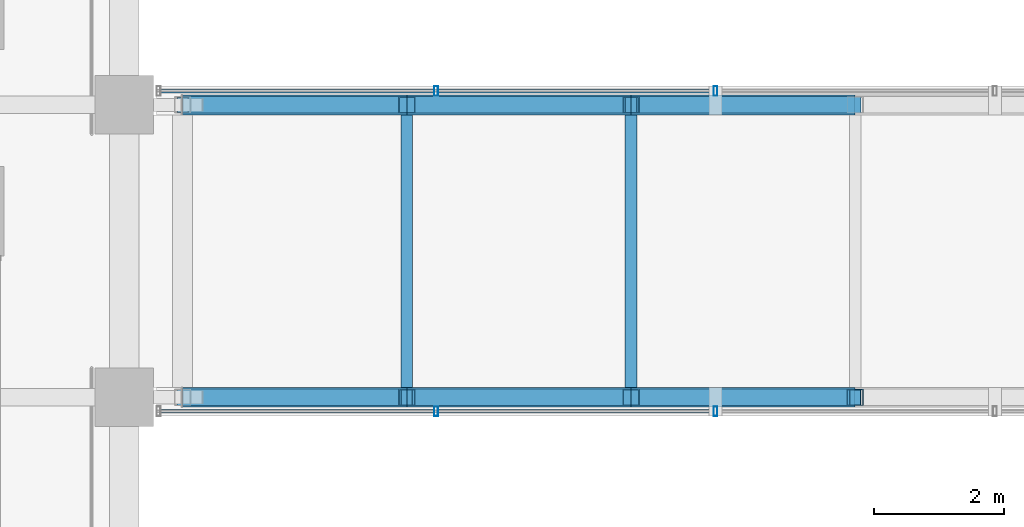
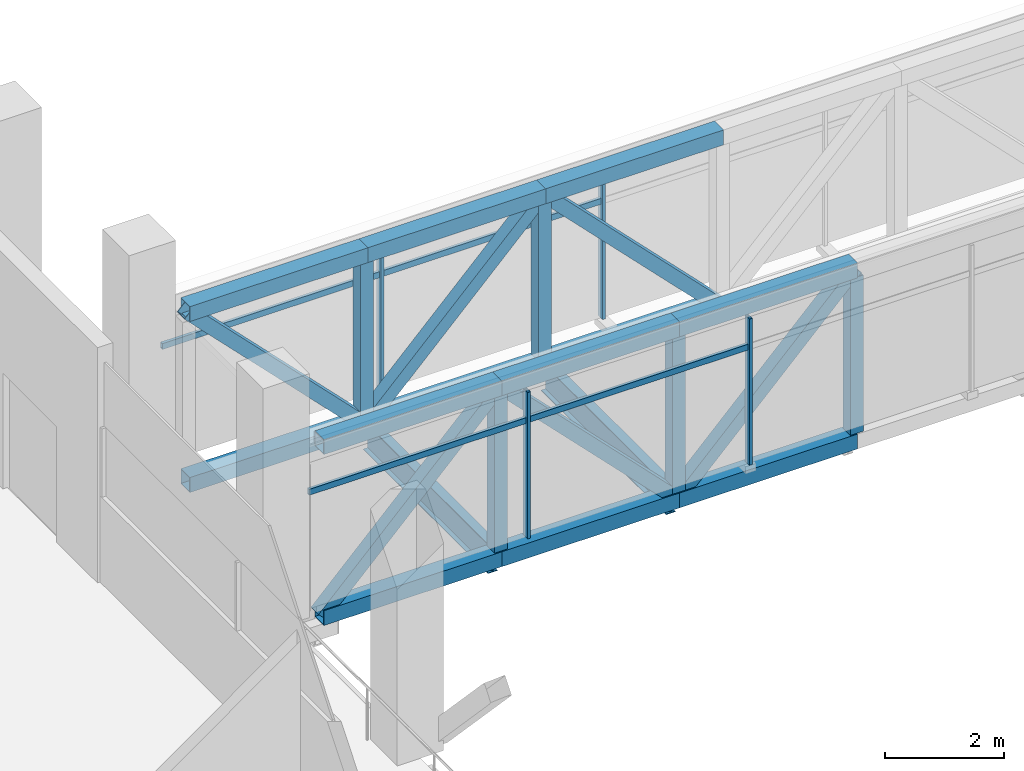
# One storey, part 13 of 34: 31 members, 2 beams, 2 elements without a shape of their own.
"""IFC4 building model written with IfcOpenShell, lengths in metres."""

from ifc_helpers import new_model, si_unit, direction, frame, origin, origin_2d, place, context, subcontext, project, spatial, hollow_rectangle, i_section, extrude, material, material_profile, profile_set, type_object, element, aggregate, save


model = new_model("IFC4")

# Units and contexts
model_context = context("Model", 3, precision=1e-05, world=origin(), true_north=direction((0.0, 1.0)))
body_context = subcontext(model_context, "Body", "Model", "MODEL_VIEW")
ifc_project = project(units=[si_unit("LENGTHUNIT", "METRE"), si_unit("AREAUNIT", "SQUARE_METRE"), si_unit("VOLUMEUNIT", "CUBIC_METRE"), si_unit("PLANEANGLEUNIT", "RADIAN"), si_unit("MASSUNIT", "GRAM", prefix="KILO")], contexts=[model_context])

# Site, building, storey
site_placement = place(None, origin())
site = spatial("IfcSite", under=ifc_project, at=site_placement, CompositionType="ELEMENT")
building_placement = place(site_placement, origin())
building = spatial("IfcBuilding", under=site, at=building_placement, Name="Altepetl Exchange Towers", CompositionType="ELEMENT")
storey_placement = place(building_placement, frame((0.0, 0.0, 190.60009765625)))
storey = spatial("IfcBuildingStorey", under=building, at=storey_placement, Name="L48 Refuge", CompositionType="ELEMENT", Elevation=190.60009765625)

# Members
ifc_material_1 = material(Name="Steel S355", Category="steel")
ifc_material_profile_1 = material_profile(ifc_material_1, hollow_rectangle(XDim=0.304931640625, YDim=0.304931640625, WallThickness=0.01171875, at=origin_2d()), Name="HSS305X305X12.7")
ifc_profile_set_1 = profile_set([ifc_material_profile_1], Name="Steel S355")
member_type_1 = type_object("IfcMemberType", Name="Bridge chord HSS305X305X12.7", PredefinedType="CHORD", material=ifc_profile_set_1)
for number, where, z_axis, x_axis, name in (
    (1, (72.89990234375, 45.0, -0.3525390625), (1.0, 0.0, 0.0), (0.0, 1.0, 0.0), "tr:X:L48:bc-s0"),
    (2, (72.89990234375, 45.0, 3.15234375), (1.0, 0.0, 0.0), (0.0, 1.0, 0.0), "tr:X:L48:tc-s0"),
):
    element("IfcMember", number, at=place(storey_placement, frame(where, z_axis=z_axis, x_axis=x_axis)), inside=storey, type_object=member_type_1, Name=name, PredefinedType="CHORD", context=body_context, shape_type="SweptSolid", body=[
        extrude(hollow_rectangle(XDim=0.304931640625, YDim=0.304931640625, WallThickness=0.01171875, at=origin_2d()), origin(), (0.0, 0.0, 1.0), 3.4501953125),
    ])
for number, where, z_axis, x_axis, name in (
    (3, (76.35009765625, 45.0, -0.3525390625), (1.0, 0.0, 0.0), (0.0, 1.0, 0.0), "tr:X:L48:bc-s1"),
    (4, (76.35009765625, 45.0, 3.15234375), (1.0, 0.0, 0.0), (0.0, 1.0, 0.0), "tr:X:L48:tc-s1"),
    (5, (79.800048828125, 45.0, -0.3525390625), (1.0, 0.0, 0.0), (0.0, 1.0, 0.0), "tr:X:L48:bc-s2"),
    (6, (79.800048828125, 45.0, 3.15234375), (1.0, 0.0, 0.0), (0.0, 1.0, 0.0), "tr:X:L48:tc-s2"),
):
    element("IfcMember", number, at=place(storey_placement, frame(where, z_axis=z_axis, x_axis=x_axis)), inside=storey, type_object=member_type_1, Name=name, PredefinedType="CHORD", context=body_context, shape_type="SweptSolid", body=[
        extrude(hollow_rectangle(XDim=0.304931640625, YDim=0.304931640625, WallThickness=0.01171875, at=origin_2d()), origin(), (0.0, 0.0, 1.0), 3.449951171875),
    ])
for number, where, z_axis, x_axis, name in (
    (7, (72.89990234375, 49.5, -0.3525390625), (1.0, 0.0, 0.0), (0.0, 1.0, 0.0), "tr:X:L48:bc-n0"),
    (8, (72.89990234375, 49.5, 3.15234375), (1.0, 0.0, 0.0), (0.0, 1.0, 0.0), "tr:X:L48:tc-n0"),
):
    element("IfcMember", number, at=place(storey_placement, frame(where, z_axis=z_axis, x_axis=x_axis)), inside=storey, type_object=member_type_1, Name=name, PredefinedType="CHORD", context=body_context, shape_type="SweptSolid", body=[
        extrude(hollow_rectangle(XDim=0.304931640625, YDim=0.304931640625, WallThickness=0.01171875, at=origin_2d()), origin(), (0.0, 0.0, 1.0), 3.4501953125),
    ])
for number, where, z_axis, x_axis, name in (
    (9, (76.35009765625, 49.5, -0.3525390625), (1.0, 0.0, 0.0), (0.0, 1.0, 0.0), "tr:X:L48:bc-n1"),
    (10, (76.35009765625, 49.5, 3.15234375), (1.0, 0.0, 0.0), (0.0, 1.0, 0.0), "tr:X:L48:tc-n1"),
    (11, (79.800048828125, 49.5, -0.3525390625), (1.0, 0.0, 0.0), (0.0, 1.0, 0.0), "tr:X:L48:bc-n2"),
    (12, (79.800048828125, 49.5, 3.15234375), (1.0, 0.0, 0.0), (0.0, 1.0, 0.0), "tr:X:L48:tc-n2"),
):
    element("IfcMember", number, at=place(storey_placement, frame(where, z_axis=z_axis, x_axis=x_axis)), inside=storey, type_object=member_type_1, Name=name, PredefinedType="CHORD", context=body_context, shape_type="SweptSolid", body=[
        extrude(hollow_rectangle(XDim=0.304931640625, YDim=0.304931640625, WallThickness=0.01171875, at=origin_2d()), origin(), (0.0, 0.0, 1.0), 3.449951171875),
    ])

# Beams
ifc_material_profile_2 = material_profile(ifc_material_1, i_section(OverallWidth=0.178955078125, OverallDepth=0.60302734375, WebThickness=0.010986328125, FlangeThickness=0.014892578125, at=origin_2d()), Name="W24X62")
ifc_profile_set_2 = profile_set([ifc_material_profile_2], Name="Steel S355")
beam_type = type_object("IfcBeamType", Name="Bridge deck beam W24X62", PredefinedType="BEAM", material=ifc_profile_set_2)
for number, where, z_axis, x_axis, name in (
    (13, (76.35009765625, 45.152587890625, -0.501708984375), (0.0, 1.0, 0.0), (-1.0, 0.0, 0.0), "bm:X:L48:cb1"),
    (14, (79.800048828125, 45.152587890625, -0.501708984375), (0.0, 1.0, 0.0), (-1.0, 0.0, 0.0), "bm:X:L48:cb2"),
):
    element("IfcBeam", number, at=place(storey_placement, frame(where, z_axis=z_axis, x_axis=x_axis)), inside=storey, type_object=beam_type, Name=name, PredefinedType="BEAM", context=body_context, shape_type="SweptSolid", body=[
        extrude(i_section(OverallWidth=0.178955078125, OverallDepth=0.60302734375, WebThickness=0.010986328125, FlangeThickness=0.014892578125, at=origin_2d()), origin(), (0.0, 0.0, 1.0), 4.19482421875),
    ])

# Members
ifc_material_profile_3 = material_profile(ifc_material_1, hollow_rectangle(XDim=0.25390625, YDim=0.25390625, WallThickness=0.01171875, at=origin_2d()), Name="HSS254X254X12.7")
ifc_profile_set_3 = profile_set([ifc_material_profile_3], Name="Steel S355")
member_type_2 = type_object("IfcMemberType", Name="Bridge diagonal HSS254X254X12.7", PredefinedType="BRACE", material=ifc_profile_set_3)
member_1_placement = place(storey_placement, frame((72.89990234375, 45.0, -0.3525390625), z_axis=(0.701525143002, 0.0, 0.712644703717), x_axis=(0.0, 1.0, 0.0)))
element("IfcMember", 15, at=member_1_placement, inside=storey, type_object=member_type_2, Name="tr:X:L48:dg-s0", PredefinedType="BRACE", context=body_context, shape_type="SweptSolid", body=[
    extrude(hollow_rectangle(XDim=0.25390625, YDim=0.25390625, WallThickness=0.01171875, at=origin_2d()), origin(), (0.0, 0.0, 1.0), 4.918212890625),
])
for number, where, z_axis, x_axis, name in (
    (16, (76.35009765625, 45.0, 3.15234375), (0.701499930937, 0.0, -0.712669521515), (0.0, 1.0, 0.0), "tr:X:L48:dg-s1"),
    (17, (79.800048828125, 45.0, -0.3525390625), (0.701499930937, 0.0, 0.712669521515), (0.0, 1.0, 0.0), "tr:X:L48:dg-s2"),
):
    element("IfcMember", number, at=place(storey_placement, frame(where, z_axis=z_axis, x_axis=x_axis)), inside=storey, type_object=member_type_2, Name=name, PredefinedType="BRACE", context=body_context, shape_type="SweptSolid", body=[
        extrude(hollow_rectangle(XDim=0.25390625, YDim=0.25390625, WallThickness=0.01171875, at=origin_2d()), origin(), (0.0, 0.0, 1.0), 4.91796875),
    ])
member_2_placement = place(storey_placement, frame((72.89990234375, 49.5, 3.15234375), z_axis=(0.701525143002, 0.0, -0.712644703717), x_axis=(0.0, 1.0, 0.0)))
element("IfcMember", 18, at=member_2_placement, inside=storey, type_object=member_type_2, Name="tr:X:L48:dg-n0", PredefinedType="BRACE", context=body_context, shape_type="SweptSolid", body=[
    extrude(hollow_rectangle(XDim=0.25390625, YDim=0.25390625, WallThickness=0.01171875, at=origin_2d()), origin(), (0.0, 0.0, 1.0), 4.918212890625),
])
for number, where, z_axis, x_axis, name in (
    (19, (76.35009765625, 49.5, -0.3525390625), (0.701499930937, 0.0, 0.712669521515), (0.0, 1.0, 0.0), "tr:X:L48:dg-n1"),
    (20, (79.800048828125, 49.5, 3.15234375), (0.701499930937, 0.0, -0.712669521515), (0.0, 1.0, 0.0), "tr:X:L48:dg-n2"),
):
    element("IfcMember", number, at=place(storey_placement, frame(where, z_axis=z_axis, x_axis=x_axis)), inside=storey, type_object=member_type_2, Name=name, PredefinedType="BRACE", context=body_context, shape_type="SweptSolid", body=[
        extrude(hollow_rectangle(XDim=0.25390625, YDim=0.25390625, WallThickness=0.01171875, at=origin_2d()), origin(), (0.0, 0.0, 1.0), 4.91796875),
    ])
ifc_material_profile_4 = material_profile(ifc_material_1, hollow_rectangle(XDim=0.25390625, YDim=0.25390625, WallThickness=0.01171875, at=origin_2d()), Name="HSS254X254X12.7")
ifc_profile_set_4 = profile_set([ifc_material_profile_4], Name="Steel S355")
member_type_3 = type_object("IfcMemberType", Name="Bridge post HSS254X254X12.7", PredefinedType="POST", material=ifc_profile_set_4)
for number, where, name in (
    (21, (76.35009765625, 45.0, -0.2001953125), "tr:X:L48:ps-s1"),
    (22, (79.800048828125, 45.0, -0.2001953125), "tr:X:L48:ps-s2"),
    (23, (83.25, 45.0, -0.2001953125), "tr:X:L48:ps-s3"),
    (24, (76.35009765625, 49.5, -0.2001953125), "tr:X:L48:ps-n1"),
    (25, (79.800048828125, 49.5, -0.2001953125), "tr:X:L48:ps-n2"),
):
    element("IfcMember", number, at=place(storey_placement, frame(where)), inside=storey, type_object=member_type_3, Name=name, PredefinedType="POST", context=body_context, shape_type="SweptSolid", body=[
        extrude(hollow_rectangle(XDim=0.25390625, YDim=0.25390625, WallThickness=0.01171875, at=origin_2d()), origin(), (0.0, 0.0, 1.0), 3.2001953125),
    ])

# Curtain wall, members
ifc_material_2 = material(Name="Aluminium 6063-T6 glazing", Category="aluminium")
curtain_wall_type = type_object("IfcCurtainWallType", Name="Bridge enclosure system", PredefinedType="NOTDEFINED", material=ifc_material_2)
curtain_wall_1_placement = place(storey_placement, origin())
curtain_wall_1 = element("IfcCurtainWall", 26, at=curtain_wall_1_placement, inside=storey, type_object=curtain_wall_type, Name="CW6 run", PredefinedType="NOTDEFINED")
ifc_material_3 = material(Name="Aluminium 6063-T6", Category="aluminium")
ifc_material_profile_5 = material_profile(ifc_material_3, hollow_rectangle(XDim=0.06005859375, YDim=0.14990234375, WallThickness=0.0029296875, at=origin_2d()), Name="Mullion 60x150 aluminium")
ifc_profile_set_5 = profile_set([ifc_material_profile_5], Name="Aluminium 6063-T6")
member_type_4 = type_object("IfcMemberType", Name="Mullion 60x150 aluminium", PredefinedType="MULLION", material=ifc_profile_set_5)
member_3_placement = place(storey_placement, frame((76.800048828125, 44.784912109375, 0.0)))
member_3 = element("IfcMember", 27, at=member_3_placement, type_object=member_type_4, Name="MU1 mullion", PredefinedType="MULLION", context=body_context, shape_type="SweptSolid", body=[
    extrude(hollow_rectangle(XDim=0.06005859375, YDim=0.14990234375, WallThickness=0.0029296875, at=origin_2d()), origin(), (0.0, 0.0, 1.0), 3.0),
])
member_4_placement = place(storey_placement, frame((81.10009765625, 44.784912109375, 0.0)))
member_4 = element("IfcMember", 28, at=member_4_placement, type_object=member_type_4, Name="MU1 mullion", PredefinedType="MULLION", context=body_context, shape_type="SweptSolid", body=[
    extrude(hollow_rectangle(XDim=0.06005859375, YDim=0.14990234375, WallThickness=0.0029296875, at=origin_2d()), origin(), (0.0, 0.0, 1.0), 3.0),
])

curtain_wall_2_placement = place(storey_placement, origin())
curtain_wall_2 = element("IfcCurtainWall", 29, at=curtain_wall_2_placement, inside=storey, type_object=curtain_wall_type, Name="CW6 run", PredefinedType="NOTDEFINED")
member_5_placement = place(storey_placement, frame((76.800048828125, 49.715087890625, 0.0)))
member_5 = element("IfcMember", 30, at=member_5_placement, type_object=member_type_4, Name="MU1 mullion", PredefinedType="MULLION", context=body_context, shape_type="SweptSolid", body=[
    extrude(hollow_rectangle(XDim=0.06005859375, YDim=0.14990234375, WallThickness=0.0029296875, at=origin_2d()), origin(), (0.0, 0.0, 1.0), 3.0),
])
member_6_placement = place(storey_placement, frame((81.10009765625, 49.715087890625, 0.0)))
member_6 = element("IfcMember", 31, at=member_6_placement, type_object=member_type_4, Name="MU1 mullion", PredefinedType="MULLION", context=body_context, shape_type="SweptSolid", body=[
    extrude(hollow_rectangle(XDim=0.06005859375, YDim=0.14990234375, WallThickness=0.0029296875, at=origin_2d()), origin(), (0.0, 0.0, 1.0), 3.0),
])

# Member
ifc_material_profile_6 = material_profile(ifc_material_3, hollow_rectangle(XDim=0.06005859375, YDim=0.1201171875, WallThickness=0.0029296875, at=origin_2d()), Name="Transom 60x120 aluminium")
ifc_profile_set_6 = profile_set([ifc_material_profile_6], Name="Aluminium 6063-T6")
member_type_5 = type_object("IfcMemberType", Name="Transom 60x120 aluminium", PredefinedType="USERDEFINED", material=ifc_profile_set_6)
member_7_placement = place(storey_placement, frame((72.56005859375, 44.784912109375, 2.39990234375), z_axis=(1.0, 0.0, 0.0), x_axis=(0.0, 1.0, 0.0)))
member_7 = element("IfcMember", 32, at=member_7_placement, type_object=member_type_5, Name="TR1 transom", ObjectType="TRANSOM", PredefinedType="USERDEFINED", context=body_context, shape_type="SweptSolid", body=[
    extrude(hollow_rectangle(XDim=0.06005859375, YDim=0.1201171875, WallThickness=0.0029296875, at=origin_2d()), origin(), (0.0, 0.0, 1.0), 4.2099609375),
])

member_8_placement = place(storey_placement, frame((76.830078125, 44.784912109375, 2.39990234375), z_axis=(1.0, 0.0, 0.0), x_axis=(0.0, 1.0, 0.0)))
member_8 = element("IfcMember", 33, at=member_8_placement, type_object=member_type_5, Name="TR1 transom", ObjectType="TRANSOM", PredefinedType="USERDEFINED", context=body_context, shape_type="SweptSolid", body=[
    extrude(hollow_rectangle(XDim=0.06005859375, YDim=0.1201171875, WallThickness=0.0029296875, at=origin_2d()), origin(), (0.0, 0.0, 1.0), 4.239990234375),
])

aggregate(curtain_wall_1, [member_3, member_4, member_7, member_8])

member_9_placement = place(storey_placement, frame((72.56005859375, 49.715087890625, 2.39990234375), z_axis=(1.0, 0.0, 0.0), x_axis=(0.0, 1.0, 0.0)))
member_9 = element("IfcMember", 34, at=member_9_placement, type_object=member_type_5, Name="TR1 transom", ObjectType="TRANSOM", PredefinedType="USERDEFINED", context=body_context, shape_type="SweptSolid", body=[
    extrude(hollow_rectangle(XDim=0.06005859375, YDim=0.1201171875, WallThickness=0.0029296875, at=origin_2d()), origin(), (0.0, 0.0, 1.0), 4.2099609375),
])

member_10_placement = place(storey_placement, frame((76.830078125, 49.715087890625, 2.39990234375), z_axis=(1.0, 0.0, 0.0), x_axis=(0.0, 1.0, 0.0)))
member_10 = element("IfcMember", 35, at=member_10_placement, type_object=member_type_5, Name="TR1 transom", ObjectType="TRANSOM", PredefinedType="USERDEFINED", context=body_context, shape_type="SweptSolid", body=[
    extrude(hollow_rectangle(XDim=0.06005859375, YDim=0.1201171875, WallThickness=0.0029296875, at=origin_2d()), origin(), (0.0, 0.0, 1.0), 4.239990234375),
])

aggregate(curtain_wall_2, [member_5, member_6, member_9, member_10])

save(model, "model.ifc")
